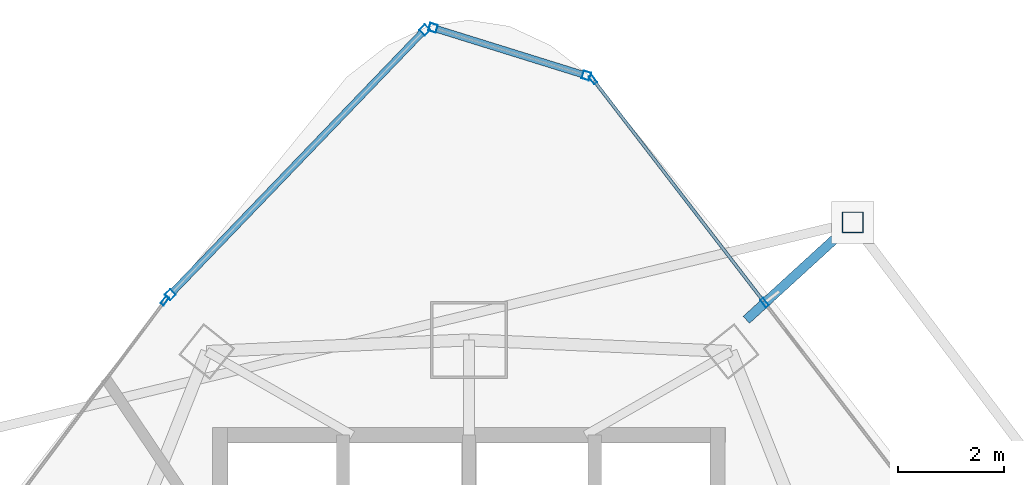
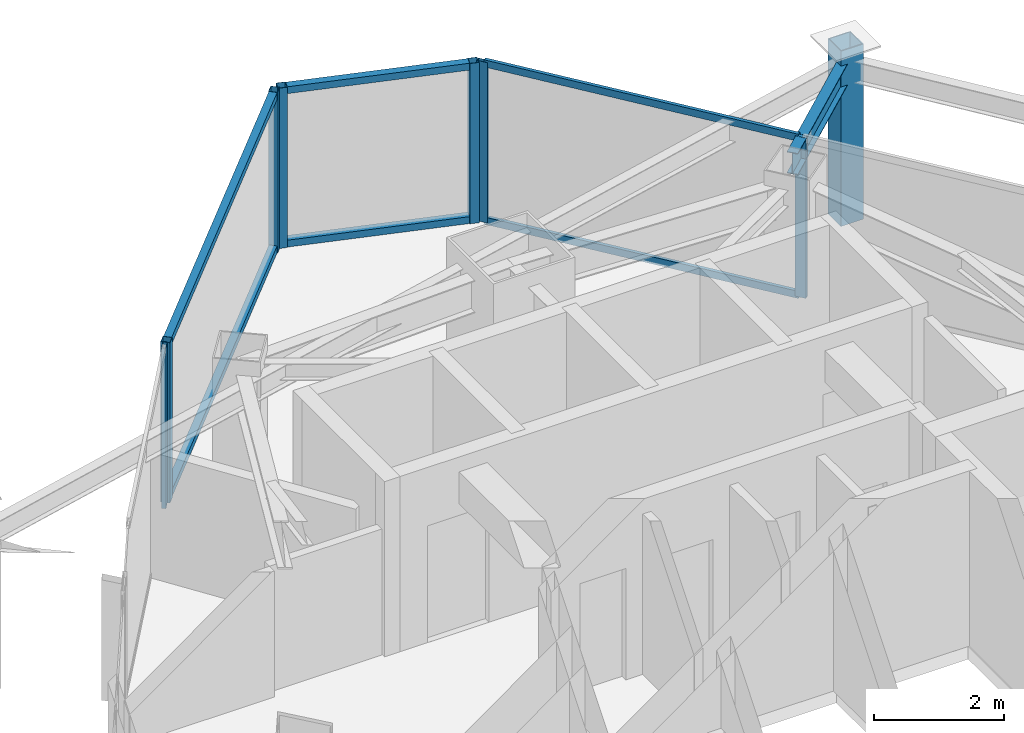
# One storey, part 23 of 31: 14 members, 1 beam, 4 elements without a shape of their own.
"""IFC4 building model written with IfcOpenShell, lengths in metres."""

from ifc_helpers import new_model, si_unit, direction, frame, origin, origin_2d, place, context, subcontext, project, spatial, hollow_rectangle, i_section, extrude, material, layer, layer_set, material_profile, profile_set, type_object, element, aggregate, save


model = new_model("IFC4")

# Units and contexts
model_context = context("Model", 3, precision=1e-05, world=origin(), true_north=direction((0.0, 1.0)))
body_context = subcontext(model_context, "Body", "Model", "MODEL_VIEW")
ifc_project = project(units=[si_unit("LENGTHUNIT", "METRE"), si_unit("AREAUNIT", "SQUARE_METRE"), si_unit("VOLUMEUNIT", "CUBIC_METRE"), si_unit("PLANEANGLEUNIT", "RADIAN"), si_unit("MASSUNIT", "GRAM", prefix="KILO")], contexts=[model_context])

# Site, building, storey
site_placement = place(None, origin())
site = spatial("IfcSite", under=ifc_project, at=site_placement, CompositionType="ELEMENT")
building_placement = place(site_placement, origin())
building = spatial("IfcBuilding", under=site, at=building_placement, Name="Orvanel Arch Residences", CompositionType="ELEMENT")
storey_placement = place(building_placement, frame((0.0, 0.0, 183.64990234375)))
storey = spatial("IfcBuildingStorey", under=building, at=storey_placement, Name="L52", CompositionType="ELEMENT", Elevation=183.64990234375)

# Curtain wall, members
ifc_material_1 = material(Name="Bronze-anodised aluminium AA6063-T6", Category="aluminium")
ifc_layer_1 = layer(ifc_material_1, 0.18994140625)
ifc_layer_set_1 = layer_set([ifc_layer_1], Name="Bronze-anodised aluminium AA6063-T6")
curtain_wall_type_1 = type_object("IfcCurtainWallType", Name="CW5-CRN-SYS", PredefinedType="NOTDEFINED", material=ifc_layer_set_1)
curtain_wall_1_placement = place(storey_placement, origin())
curtain_wall_1 = element("IfcCurtainWall", 1, at=curtain_wall_1_placement, inside=storey, type_object=curtain_wall_type_1, Name="L52 CW5-CRN-SYS Unitised Curtain Wall", PredefinedType="NOTDEFINED")
ifc_material_profile_1 = material_profile(ifc_material_1, hollow_rectangle(XDim=0.14990234375, YDim=0.14990234375, WallThickness=0.0048828125, at=origin_2d()), Name="ALU150x150x5")
ifc_profile_set_1 = profile_set([ifc_material_profile_1], Name="Bronze-anodised aluminium AA6063-T6")
member_type_1 = type_object("IfcMemberType", Name="MUL-150x150", PredefinedType="MULLION", material=ifc_profile_set_1)
member_1_placement = place(storey_placement, frame((35.21728515625, 46.38818359375, 0.0), z_axis=(0.0, 0.0, 1.0), x_axis=(-0.297219326942, -0.954809233142, 0.0)))
member_1 = element("IfcMember", 2, at=member_1_placement, type_object=member_type_1, Name="CW-S5 mullion 1", PredefinedType="MULLION", context=body_context, shape_type="SweptSolid", body=[
    extrude(hollow_rectangle(XDim=0.14990234375, YDim=0.14990234375, WallThickness=0.0048828125, at=origin_2d()), origin(), (0.0, 0.0, 1.0), 3.02001953125),
])
member_2_placement = place(storey_placement, frame((32.321533203125, 47.289794921875, 0.0), z_axis=(0.0, 0.0, 1.0), x_axis=(-0.297219326942, -0.954809233142, 0.0)))
member_2 = element("IfcMember", 3, at=member_2_placement, type_object=member_type_1, Name="CW-S5 mullion 2", PredefinedType="MULLION", context=body_context, shape_type="SweptSolid", body=[
    extrude(hollow_rectangle(XDim=0.14990234375, YDim=0.14990234375, WallThickness=0.0048828125, at=origin_2d()), origin(), (0.0, 0.0, 1.0), 3.02001953125),
])

curtain_wall_2_placement = place(storey_placement, origin())
curtain_wall_2 = element("IfcCurtainWall", 4, at=curtain_wall_2_placement, inside=storey, type_object=curtain_wall_type_1, Name="L52 CW5-CRN-SYS Unitised Curtain Wall", PredefinedType="NOTDEFINED")
member_3_placement = place(storey_placement, frame((32.1650390625, 47.25, 0.0), z_axis=(0.0, 0.0, 1.0), x_axis=(0.720873749875, -0.693066401393, 0.0)))
member_3 = element("IfcMember", 5, at=member_3_placement, type_object=member_type_1, Name="CW-S5 mullion 1", PredefinedType="MULLION", context=body_context, shape_type="SweptSolid", body=[
    extrude(hollow_rectangle(XDim=0.14990234375, YDim=0.14990234375, WallThickness=0.0048828125, at=origin_2d()), origin(), (0.0, 0.0, 1.0), 3.02001953125),
])
member_4_placement = place(storey_placement, frame((27.35888671875, 42.2509765625, 0.0), z_axis=(0.0, 0.0, 1.0), x_axis=(0.720873749875, -0.693066401393, 0.0)))
member_4 = element("IfcMember", 6, at=member_4_placement, type_object=member_type_1, Name="CW-S5 mullion 2", PredefinedType="MULLION", context=body_context, shape_type="SweptSolid", body=[
    extrude(hollow_rectangle(XDim=0.14990234375, YDim=0.14990234375, WallThickness=0.0048828125, at=origin_2d()), origin(), (0.0, 0.0, 1.0), 3.02001953125),
])

# Curtain wall, member
ifc_layer_2 = layer(ifc_material_1, 0.179931640625)
ifc_layer_set_2 = layer_set([ifc_layer_2], Name="Bronze-anodised aluminium AA6063-T6")
curtain_wall_type_2 = type_object("IfcCurtainWallType", Name="CW3-MID-SYS", PredefinedType="NOTDEFINED", material=ifc_layer_set_2)
curtain_wall_3_placement = place(storey_placement, origin())
curtain_wall_3 = element("IfcCurtainWall", 7, at=curtain_wall_3_placement, inside=storey, type_object=curtain_wall_type_2, Name="L52 CW3-MID-SYS Unitised Curtain Wall", PredefinedType="NOTDEFINED")
ifc_material_profile_2 = material_profile(ifc_material_1, hollow_rectangle(XDim=0.070068359375, YDim=0.179931640625, WallThickness=0.00439453125, at=origin_2d()), Name="ALU180x70x4.5")
ifc_profile_set_2 = profile_set([ifc_material_profile_2], Name="Bronze-anodised aluminium AA6063-T6")
member_type_2 = type_object("IfcMemberType", Name="MUL-180x70", PredefinedType="MULLION", material=ifc_profile_set_2)
member_5_placement = place(storey_placement, frame((27.260009765625, 42.138916015625, 0.0), z_axis=(0.0, 0.0, 1.0), x_axis=(0.801167631356, -0.598439994041, 0.0)))
member_5 = element("IfcMember", 8, at=member_5_placement, type_object=member_type_2, Name="CW-S3 mullion 1", PredefinedType="MULLION", context=body_context, shape_type="SweptSolid", body=[
    extrude(hollow_rectangle(XDim=0.070068359375, YDim=0.179931640625, WallThickness=0.00439453125, at=origin_2d()), origin(), (0.0, 0.0, 1.0), 3.02001953125),
])
aggregate(curtain_wall_3, [member_5])

# Curtain wall, members
curtain_wall_4_placement = place(storey_placement, origin())
curtain_wall_4 = element("IfcCurtainWall", 9, at=curtain_wall_4_placement, inside=storey, type_object=curtain_wall_type_2, Name="L52 CW3-MID-SYS Unitised Curtain Wall", PredefinedType="NOTDEFINED")
member_6_placement = place(storey_placement, frame((38.582275390625, 42.10107421875, 0.0), z_axis=(0.0, 0.0, 1.0), x_axis=(-0.792760568197, -0.609533166868, 0.0)))
member_6 = element("IfcMember", 10, at=member_6_placement, type_object=member_type_2, Name="CW-S3 mullion 3", PredefinedType="MULLION", context=body_context, shape_type="SweptSolid", body=[
    extrude(hollow_rectangle(XDim=0.070068359375, YDim=0.179931640625, WallThickness=0.00439453125, at=origin_2d()), origin(), (0.0, 0.0, 1.0), 3.02001953125),
])
member_7_placement = place(storey_placement, frame((35.34130859375, 46.316162109375, 0.0), z_axis=(0.0, 0.0, 1.0), x_axis=(-0.792760568197, -0.609533166868, 0.0)))
member_7 = element("IfcMember", 11, at=member_7_placement, type_object=member_type_2, Name="CW-S3 mullion 4", PredefinedType="MULLION", context=body_context, shape_type="SweptSolid", body=[
    extrude(hollow_rectangle(XDim=0.070068359375, YDim=0.179931640625, WallThickness=0.00439453125, at=origin_2d()), origin(), (0.0, 0.0, 1.0), 3.02001953125),
])

# Beam
ifc_material_2 = material(Name="Structural steel AS/NZS 3679.1 Grade 300 (300 MPa)", Category="steel")
ifc_material_profile_3 = material_profile(ifc_material_2, i_section(OverallWidth=0.177978515625, OverallDepth=0.406005859375, WebThickness=0.0078125, FlangeThickness=0.0126953125, at=origin_2d()), Name="410UB59.7")
ifc_profile_set_3 = profile_set([ifc_material_profile_3], Name="Structural steel AS/NZS 3679.1 Grade 300 (300 MPa)")
beam_type = type_object("IfcBeamType", Name="OB-410UB-EXT", PredefinedType="SPANDREL", material=ifc_profile_set_3)
beam_placement = place(storey_placement, frame((38.238037109375, 41.777099609375, 2.817138671875), z_axis=(0.738161407706, 0.674624144375, 0.0), x_axis=(-0.674624144375, 0.738161407706, 0.0)))
element("IfcBeam", 12, at=beam_placement, inside=storey, type_object=beam_type, Name="L52 Outer Frame Radial Tie Beam 12", PredefinedType="SPANDREL", context=body_context, shape_type="SweptSolid", body=[
    extrude(i_section(OverallWidth=0.177978515625, OverallDepth=0.406005859375, WebThickness=0.0078125, FlangeThickness=0.0126953125, at=origin_2d()), origin(), (0.0, 0.0, 1.0), 2.724365234375),
])

# Member
ifc_material_3 = material(Name="Structural steel AS/NZS 1163 C450L0 (Grade 450)", Category="steel")
ifc_material_profile_4 = material_profile(ifc_material_3, hollow_rectangle(XDim=0.39990234375, YDim=0.39990234375, WallThickness=0.01611328125, at=origin_2d()), Name="SHS400x400x16")
ifc_profile_set_4 = profile_set([ifc_material_profile_4], Name="Structural steel AS/NZS 1163 C450L0 (Grade 450)")
member_type_3 = type_object("IfcMemberType", Name="ST-400SHS-EXT", PredefinedType="STRUT", material=ifc_profile_set_4)
member_8_placement = place(storey_placement, frame((40.2490234375, 43.614990234375, 0.0), z_axis=(0.0, 0.0, 1.0), x_axis=(1.0, 0.0, 0.0)))
element("IfcMember", 13, at=member_8_placement, inside=storey, type_object=member_type_3, Name="L52 Outer Perimeter Frame Post 12", PredefinedType="STRUT", context=body_context, shape_type="SweptSolid", body=[
    extrude(hollow_rectangle(XDim=0.39990234375, YDim=0.39990234375, WallThickness=0.01611328125, at=origin_2d()), origin(), (0.0, 0.0, 1.0), 3.300048828125),
])

ifc_material_profile_5 = material_profile(ifc_material_1, hollow_rectangle(XDim=0.1298828125, YDim=0.1298828125, WallThickness=0.00439453125, at=origin_2d()), Name="ALU130x130x4.5")
ifc_profile_set_5 = profile_set([ifc_material_profile_5], Name="Bronze-anodised aluminium AA6063-T6")
member_type_4 = type_object("IfcMemberType", Name="TRN-130x130", PredefinedType="USERDEFINED", material=ifc_profile_set_5)
member_9_placement = place(storey_placement, frame((35.145751953125, 46.41064453125, 0.065185546875), z_axis=(-0.954819933028, 0.297184951658, 0.0), x_axis=(-0.297184951658, -0.954819933028, 0.0)))
member_9 = element("IfcMember", 14, at=member_9_placement, type_object=member_type_4, Name="CW-S5 transom 1.1", ObjectType="TRANSOM", PredefinedType="USERDEFINED", context=body_context, shape_type="SweptSolid", body=[
    extrude(hollow_rectangle(XDim=0.1298828125, YDim=0.1298828125, WallThickness=0.00439453125, at=origin_2d()), origin(), (0.0, 0.0, 1.0), 2.882568359375),
])

member_10_placement = place(storey_placement, frame((35.145751953125, 46.41064453125, 2.955078125), z_axis=(-0.954819933028, 0.297184951658, 0.0), x_axis=(-0.297184951658, -0.954819933028, 0.0)))
member_10 = element("IfcMember", 15, at=member_10_placement, type_object=member_type_4, Name="CW-S5 transom 1.2", ObjectType="TRANSOM", PredefinedType="USERDEFINED", context=body_context, shape_type="SweptSolid", body=[
    extrude(hollow_rectangle(XDim=0.1298828125, YDim=0.1298828125, WallThickness=0.00439453125, at=origin_2d()), origin(), (0.0, 0.0, 1.0), 2.882568359375),
])

aggregate(curtain_wall_1, [member_1, member_2, member_9, member_10])

member_11_placement = place(storey_placement, frame((32.113037109375, 47.19580078125, 0.065185546875), z_axis=(-0.69307994946, -0.720860724174, 0.0), x_axis=(0.720860724174, -0.69307994946, 0.0)))
member_11 = element("IfcMember", 16, at=member_11_placement, type_object=member_type_4, Name="CW-S5 transom 1.1", ObjectType="TRANSOM", PredefinedType="USERDEFINED", context=body_context, shape_type="SweptSolid", body=[
    extrude(hollow_rectangle(XDim=0.1298828125, YDim=0.1298828125, WallThickness=0.00439453125, at=origin_2d()), origin(), (0.0, 0.0, 1.0), 6.784423828125),
])

member_12_placement = place(storey_placement, frame((32.113037109375, 47.19580078125, 2.955078125), z_axis=(-0.69307994946, -0.720860724174, 0.0), x_axis=(0.720860724174, -0.69307994946, 0.0)))
member_12 = element("IfcMember", 17, at=member_12_placement, type_object=member_type_4, Name="CW-S5 transom 1.2", ObjectType="TRANSOM", PredefinedType="USERDEFINED", context=body_context, shape_type="SweptSolid", body=[
    extrude(hollow_rectangle(XDim=0.1298828125, YDim=0.1298828125, WallThickness=0.00439453125, at=origin_2d()), origin(), (0.0, 0.0, 1.0), 6.784423828125),
])

aggregate(curtain_wall_2, [member_3, member_4, member_11, member_12])

ifc_material_profile_6 = material_profile(ifc_material_1, hollow_rectangle(XDim=0.06005859375, YDim=0.135009765625, WallThickness=0.00390625, at=origin_2d()), Name="ALU135x60x4")
ifc_profile_set_6 = profile_set([ifc_material_profile_6], Name="Bronze-anodised aluminium AA6063-T6")
member_type_5 = type_object("IfcMemberType", Name="TRN-135x60", PredefinedType="USERDEFINED", material=ifc_profile_set_6)
member_13_placement = place(storey_placement, frame((38.56103515625, 42.128662109375, 0.030029296875), z_axis=(-0.609537614099, 0.792757148816, 0.0), x_axis=(-0.792757148816, -0.609537614099, 0.0)))
member_13 = element("IfcMember", 18, at=member_13_placement, type_object=member_type_5, Name="CW-S3 transom 3.1", ObjectType="TRANSOM", PredefinedType="USERDEFINED", context=body_context, shape_type="SweptSolid", body=[
    extrude(hollow_rectangle(XDim=0.06005859375, YDim=0.135009765625, WallThickness=0.00390625, at=origin_2d()), origin(), (0.0, 0.0, 1.0), 5.247314453125),
])

member_14_placement = place(storey_placement, frame((38.56103515625, 42.128662109375, 2.989990234375), z_axis=(-0.609537614099, 0.792757148816, 0.0), x_axis=(-0.792757148816, -0.609537614099, 0.0)))
member_14 = element("IfcMember", 19, at=member_14_placement, type_object=member_type_5, Name="CW-S3 transom 3.2", ObjectType="TRANSOM", PredefinedType="USERDEFINED", context=body_context, shape_type="SweptSolid", body=[
    extrude(hollow_rectangle(XDim=0.06005859375, YDim=0.135009765625, WallThickness=0.00390625, at=origin_2d()), origin(), (0.0, 0.0, 1.0), 5.247314453125),
])

aggregate(curtain_wall_4, [member_6, member_7, member_13, member_14])

save(model, "model.ifc")
